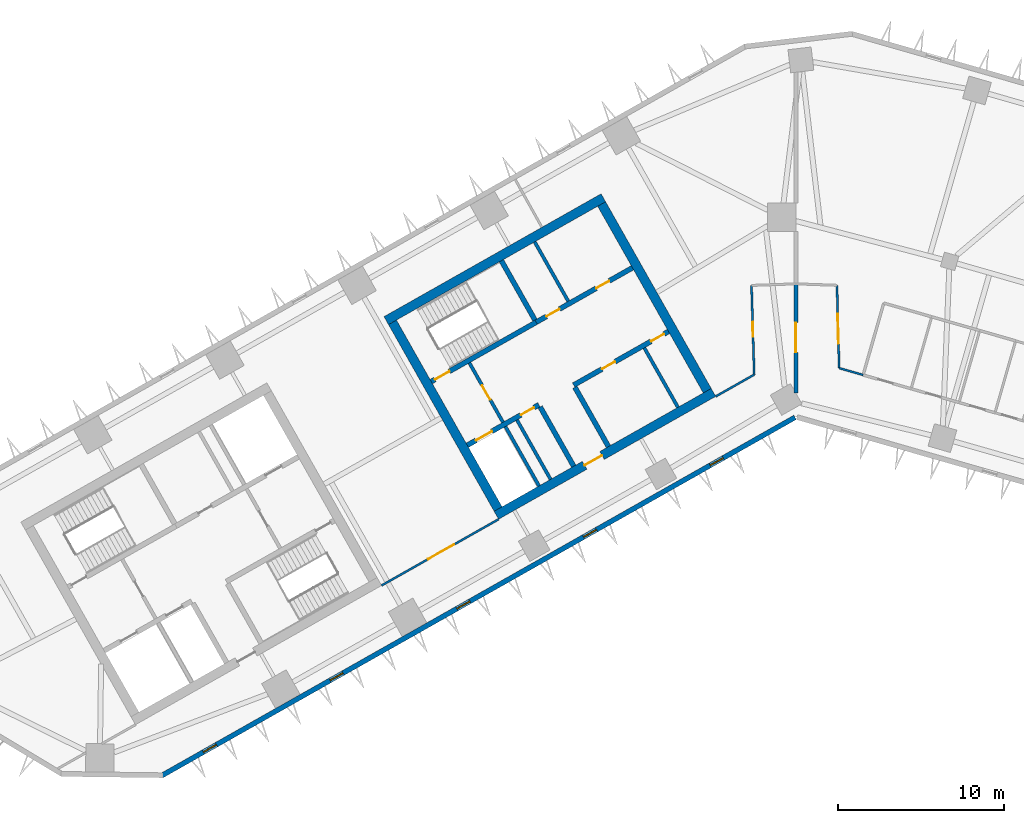
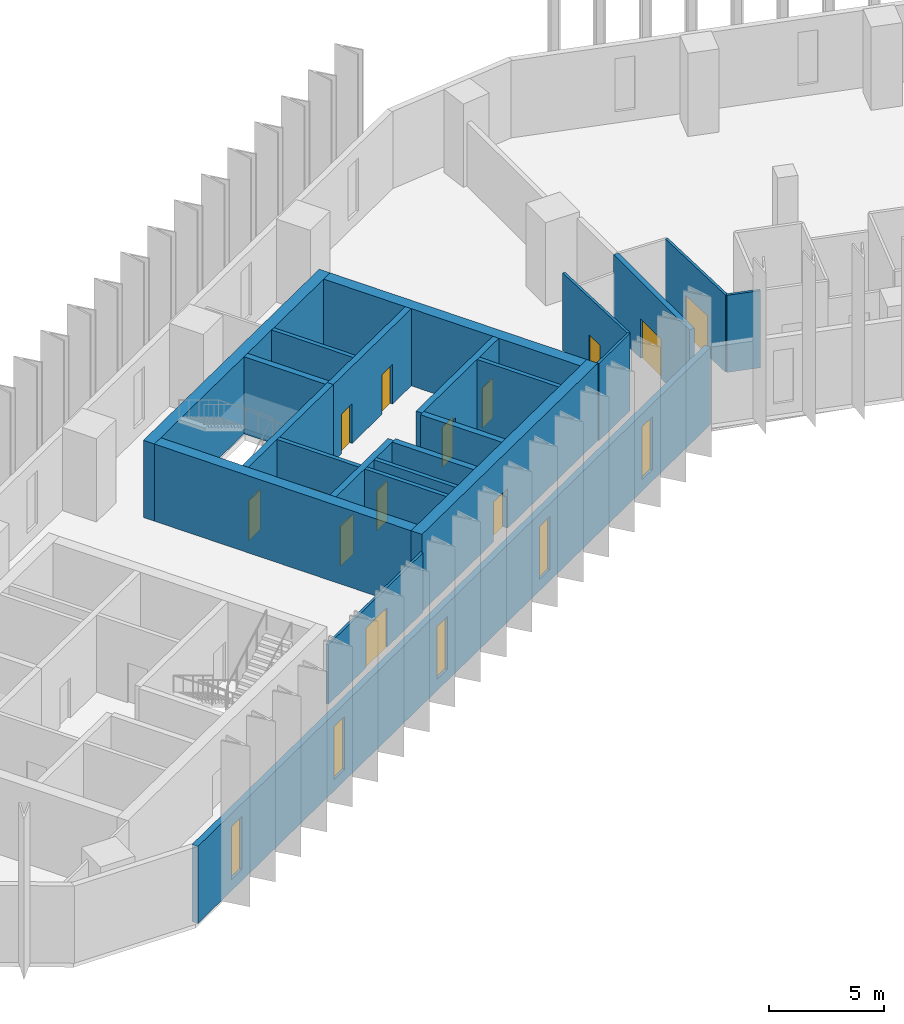
# One storey, part 4 of 11: 23 walls, 13 doors, 5 windows, 18 openings.
"""IFC4 building model written with IfcOpenShell, lengths in metres."""

from ifc_helpers import new_model, si_unit, direction, frame, frame_2d, origin, place, context, subcontext, project, spatial, rectangle, extrude, material, layer, layer_set, type_object, element, fill, save


model = new_model("IFC4")

# Units and contexts
model_context = context("Model", 3, precision=1e-05, world=origin(), true_north=direction((0.0, 1.0)))
body_context = subcontext(model_context, "Body", "Model", "MODEL_VIEW")
ifc_project = project(units=[si_unit("LENGTHUNIT", "METRE"), si_unit("AREAUNIT", "SQUARE_METRE"), si_unit("VOLUMEUNIT", "CUBIC_METRE"), si_unit("PLANEANGLEUNIT", "RADIAN"), si_unit("MASSUNIT", "GRAM", prefix="KILO")], contexts=[model_context])

# Site, building, storey
site_placement = place(None, origin())
site = spatial("IfcSite", under=ifc_project, at=site_placement, CompositionType="ELEMENT")
building_placement = place(site_placement, origin())
building = spatial("IfcBuilding", under=site, at=building_placement, Name="Binnacle Exchange Tower", CompositionType="ELEMENT")
storey_placement = place(building_placement, frame((0.0, 0.0, 132.300048828125)))
storey = spatial("IfcBuildingStorey", under=building, at=storey_placement, Name="L27", CompositionType="ELEMENT", Elevation=132.300048828125)

# Walls
ifc_material_1 = material(Name="Gypsum partition fire rated")
ifc_layer_1 = layer(ifc_material_1, 0.199951171875)
ifc_layer_set_1 = layer_set([ifc_layer_1], Name="Core partition 200")
wall_type_1 = type_object("IfcWallType", Name="Core partition 200", PredefinedType="PARTITIONING", material=ifc_layer_set_1)
wall_1_placement = place(storey_placement, frame((-15.709228515625, 58.52294921875, 0.0), z_axis=(0.0, 0.0, 1.0), x_axis=(0.492428039142, -0.870353161807, 0.0)))
element("IfcWall", 1, at=wall_1_placement, inside=storey, type_object=wall_type_1, Name="Core wall CRWC17", PredefinedType="PARTITIONING", context=body_context, shape_type="SweptSolid", body=[
    extrude(rectangle(XDim=4.10009765625, YDim=0.199951171875, at=frame_2d((2.050048828125, 0.0))), origin(), (0.0, 0.0, 1.0), 4.079833984375),
])
wall_2_placement = place(storey_placement, frame((-9.11279296875, 52.14404296875, 0.0), z_axis=(0.0, 0.0, 1.0), x_axis=(0.492408451753, -0.87036424366, 0.0)))
element("IfcWall", 2, at=wall_2_placement, inside=storey, type_object=wall_type_1, Name="Core wall CRWC22", PredefinedType="PARTITIONING", context=body_context, shape_type="SweptSolid", body=[
    extrude(rectangle(XDim=4.099853515625, YDim=0.199951171875, at=frame_2d((2.0498046875, 0.0))), origin(), (0.0, 0.0, 1.0), 4.079833984375),
])

# Wall, openings, doors
ifc_material_2 = material(Name="Concrete C70/85", Category="concrete")
ifc_layer_2 = layer(ifc_material_2, 0.300048828125)
ifc_layer_set_2 = layer_set([ifc_layer_2], Name="Core wall - front 300")
wall_type_2 = type_object("IfcWallType", Name="Core wall - front 300", PredefinedType="SOLIDWALL", material=ifc_layer_set_2)
wall_3_placement = place(storey_placement, frame((-19.76171875, 46.291748046875, 0.0), z_axis=(0.0, 0.0, 1.0), x_axis=(0.870359758983, 0.49241637863, 0.0)))
wall_3 = element("IfcWall", 3, at=wall_3_placement, inside=storey, type_object=wall_type_2, Name="Core wall CRWC2", PredefinedType="SOLIDWALL", context=body_context, shape_type="SweptSolid", body=[
    extrude(rectangle(XDim=4.9501953125, YDim=0.300048828125, at=frame_2d((2.47509765625, 0.0))), origin(), (0.0, 0.0, 1.0), 4.079833984375),
])
opening_1_placement = place(wall_3_placement, frame((0.60009765625, 0.0, 0.0)))
opening_1 = element("IfcOpeningElement", 4, at=opening_1_placement, cuts=wall_3, Name="Opening LD14", PredefinedType="OPENING", context=body_context, shape_type="SweptSolid", body=[
    extrude(rectangle(XDim=1.10009765625, YDim=2.10009765625, at=frame_2d((0.550048828125, 1.050048828125))), frame((0.0, 0.159912109375, 0.0), z_axis=(0.0, -1.0, 0.0), x_axis=(1.0, 0.0, 0.0)), (0.0, 0.0, 1.0), 0.320068359375),
])
opening_2_placement = place(wall_3_placement, frame((3.699951171875, 0.0, 0.0)))
opening_2 = element("IfcOpeningElement", 5, at=opening_2_placement, cuts=wall_3, Name="Opening DC14", PredefinedType="OPENING", context=body_context, shape_type="SweptSolid", body=[
    extrude(rectangle(XDim=0.89990234375, YDim=2.10009765625, at=frame_2d((0.449951171875, 1.050048828125))), frame((0.0, 0.159912109375, 0.0), z_axis=(0.0, -1.0, 0.0), x_axis=(1.0, 0.0, 0.0)), (0.0, 0.0, 1.0), 0.320068359375),
])
ifc_material_3 = material(Name="Steel door leaf", Category="steel")
door_type_1 = type_object("IfcDoorType", Name="Fire door - lift landing 1100", OperationType="NOTDEFINED", PredefinedType="DOOR", material=ifc_material_3)
door_1_placement = place(opening_1_placement, origin())
door_1 = element("IfcDoor", 6, at=door_1_placement, inside=storey, type_object=door_type_1, Name="Landing door LD14 L27", OperationType="DOUBLE_DOOR_SLIDING", OverallHeight=2.10009765625, OverallWidth=1.10009765625, PredefinedType="DOOR", context=body_context, shape_type="SweptSolid", body=[
    extrude(rectangle(XDim=1.10009765625, YDim=2.10009765625, at=frame_2d((0.550048828125, 1.050048828125))), frame((0.0, 0.02490234375, 0.0), z_axis=(0.0, -1.0, 0.0), x_axis=(1.0, 0.0, 0.0)), (0.0, 0.0, 1.0), 0.050048828125),
])
fill(opening_1, door_1)
door_type_2 = type_object("IfcDoorType", Name="Fire door 900", OperationType="NOTDEFINED", PredefinedType="DOOR", material=ifc_material_3)
door_2_placement = place(opening_2_placement, frame((0.89990234375, 0.0, 0.0), z_axis=(0.0, 0.0, 1.0), x_axis=(-1.0, 0.0, 0.0)))
door_2 = element("IfcDoor", 7, at=door_2_placement, inside=storey, type_object=door_type_2, Name="Core room door FIBRE ENTRY ROOM", OperationType="SINGLE_SWING_LEFT", OverallHeight=2.10009765625, OverallWidth=0.89990234375, PredefinedType="DOOR", context=body_context, shape_type="SweptSolid", body=[
    extrude(rectangle(XDim=0.89990234375, YDim=2.10009765625, at=frame_2d((0.449951171875, 1.050048828125))), frame((0.0, 0.02490234375, 0.0), z_axis=(0.0, -1.0, 0.0), x_axis=(1.0, 0.0, 0.0)), (0.0, 0.0, 1.0), 0.050048828125),
])
fill(opening_2, door_2)

wall_4_placement = place(storey_placement, frame((-13.364501953125, 49.910888671875, 0.0), z_axis=(0.0, 0.0, 1.0), x_axis=(0.870336435567, 0.492457601144, 0.0)))
wall_4 = element("IfcWall", 8, at=wall_4_placement, inside=storey, type_object=wall_type_2, Name="Core wall CRWC3", PredefinedType="SOLIDWALL", context=body_context, shape_type="SweptSolid", body=[
    extrude(rectangle(XDim=6.550048828125, YDim=0.300048828125, at=frame_2d((3.27490234375, 0.0))), origin(), (0.0, 0.0, 1.0), 4.079833984375),
])
opening_3_placement = place(wall_4_placement, frame((1.949951171875, 0.0, 0.0)))
opening_3 = element("IfcOpeningElement", 9, at=opening_3_placement, cuts=wall_4, Name="Opening DC18", PredefinedType="OPENING", context=body_context, shape_type="SweptSolid", body=[
    extrude(rectangle(XDim=0.89990234375, YDim=2.10009765625, at=frame_2d((0.449951171875, 1.050048828125))), frame((0.0, 0.159912109375, 0.0), z_axis=(0.0, -1.0, 0.0), x_axis=(1.0, 0.0, 0.0)), (0.0, 0.0, 1.0), 0.320068359375),
])
opening_4_placement = place(wall_4_placement, frame((5.35009765625, 0.0, 0.0)))
opening_4 = element("IfcOpeningElement", 10, at=opening_4_placement, cuts=wall_4, Name="Opening DC19", PredefinedType="OPENING", context=body_context, shape_type="SweptSolid", body=[
    extrude(rectangle(XDim=0.89990234375, YDim=2.10009765625, at=frame_2d((0.449951171875, 1.050048828125))), frame((0.0, 0.159912109375, 0.0), z_axis=(0.0, -1.0, 0.0), x_axis=(1.0, 0.0, 0.0)), (0.0, 0.0, 1.0), 0.320068359375),
])
door_3_placement = place(opening_3_placement, frame((0.89990234375, 0.0, 0.0), z_axis=(0.0, 0.0, 1.0), x_axis=(-1.0, 0.0, 0.0)))
door_3 = element("IfcDoor", 11, at=door_3_placement, inside=storey, type_object=door_type_2, Name="Core room door TELECOM RISER ROOM", OperationType="SINGLE_SWING_RIGHT", OverallHeight=2.10009765625, OverallWidth=0.89990234375, PredefinedType="DOOR", context=body_context, shape_type="SweptSolid", body=[
    extrude(rectangle(XDim=0.89990234375, YDim=2.10009765625, at=frame_2d((0.449951171875, 1.050048828125))), frame((0.0, 0.02490234375, 0.0), z_axis=(0.0, -1.0, 0.0), x_axis=(1.0, 0.0, 0.0)), (0.0, 0.0, 1.0), 0.050048828125),
])
fill(opening_3, door_3)
door_4_placement = place(opening_4_placement, frame((0.89990234375, 0.0, 0.0), z_axis=(0.0, 0.0, 1.0), x_axis=(-1.0, 0.0, 0.0)))
door_4 = element("IfcDoor", 12, at=door_4_placement, inside=storey, type_object=door_type_2, Name="Core room door COMMS RISER ROOM", OperationType="SINGLE_SWING_LEFT", OverallHeight=2.10009765625, OverallWidth=0.89990234375, PredefinedType="DOOR", context=body_context, shape_type="SweptSolid", body=[
    extrude(rectangle(XDim=0.89990234375, YDim=2.10009765625, at=frame_2d((0.449951171875, 1.050048828125))), frame((0.0, 0.02490234375, 0.0), z_axis=(0.0, -1.0, 0.0), x_axis=(1.0, 0.0, 0.0)), (0.0, 0.0, 1.0), 0.050048828125),
])
fill(opening_4, door_4)

wall_5_placement = place(storey_placement, frame((-15.6181640625, 53.69140625, 0.0), z_axis=(0.0, 0.0, 1.0), x_axis=(0.870367894134, 0.492401999246, 0.0)))
wall_5 = element("IfcWall", 13, at=wall_5_placement, inside=storey, type_object=wall_type_2, Name="Core wall CRWC5", PredefinedType="SOLIDWALL", context=body_context, shape_type="SweptSolid", body=[
    extrude(rectangle(XDim=6.64990234375, YDim=0.300048828125, at=frame_2d((3.324951171875, 0.0))), origin(), (0.0, 0.0, 1.0), 4.079833984375),
])
opening_5_placement = place(wall_5_placement, frame((0.699951171875, 0.0, 0.0)))
opening_5 = element("IfcOpeningElement", 14, at=opening_5_placement, cuts=wall_5, Name="Opening DC10", PredefinedType="OPENING", context=body_context, shape_type="SweptSolid", body=[
    extrude(rectangle(XDim=0.89990234375, YDim=2.10009765625, at=frame_2d((0.449951171875, 1.050048828125))), frame((0.0, 0.159912109375, 0.0), z_axis=(0.0, -1.0, 0.0), x_axis=(1.0, 0.0, 0.0)), (0.0, 0.0, 1.0), 0.320068359375),
])
opening_6_placement = place(wall_5_placement, frame((4.14990234375, 0.0, 0.0)))
opening_6 = element("IfcOpeningElement", 15, at=opening_6_placement, cuts=wall_5, Name="Opening DC11", PredefinedType="OPENING", context=body_context, shape_type="SweptSolid", body=[
    extrude(rectangle(XDim=0.89990234375, YDim=2.10009765625, at=frame_2d((0.449951171875, 1.050048828125))), frame((0.0, 0.159912109375, 0.0), z_axis=(0.0, -1.0, 0.0), x_axis=(1.0, 0.0, 0.0)), (0.0, 0.0, 1.0), 0.320068359375),
])
door_5_placement = place(opening_5_placement, origin())
door_5 = element("IfcDoor", 16, at=door_5_placement, inside=storey, type_object=door_type_2, Name="Core room door UPS CUPBOARD", OperationType="SINGLE_SWING_LEFT", OverallHeight=2.10009765625, OverallWidth=0.89990234375, PredefinedType="DOOR", context=body_context, shape_type="SweptSolid", body=[
    extrude(rectangle(XDim=0.89990234375, YDim=2.10009765625, at=frame_2d((0.449951171875, 1.050048828125))), frame((0.0, 0.02490234375, 0.0), z_axis=(0.0, -1.0, 0.0), x_axis=(1.0, 0.0, 0.0)), (0.0, 0.0, 1.0), 0.050048828125),
])
fill(opening_5, door_5)
door_6_placement = place(opening_6_placement, origin())
door_6 = element("IfcDoor", 17, at=door_6_placement, inside=storey, type_object=door_type_2, Name="Core room door EQUIPMENT STORE", OperationType="SINGLE_SWING_RIGHT", OverallHeight=2.10009765625, OverallWidth=0.89990234375, PredefinedType="DOOR", context=body_context, shape_type="SweptSolid", body=[
    extrude(rectangle(XDim=0.89990234375, YDim=2.10009765625, at=frame_2d((0.449951171875, 1.050048828125))), frame((0.0, 0.02490234375, 0.0), z_axis=(0.0, -1.0, 0.0), x_axis=(1.0, 0.0, 0.0)), (0.0, 0.0, 1.0), 0.050048828125),
])
fill(opening_6, door_6)

# Walls
wall_6_placement = place(storey_placement, frame((-15.37939453125, 48.5986328125, 0.0), z_axis=(0.0, 0.0, 1.0), x_axis=(0.492408451753, -0.87036424366, 0.0)))
element("IfcWall", 18, at=wall_6_placement, inside=storey, type_object=wall_type_2, Name="Core wall CRWC13", PredefinedType="SOLIDWALL", context=body_context, shape_type="SweptSolid", body=[
    extrude(rectangle(XDim=4.099853515625, YDim=0.300048828125, at=frame_2d((2.0498046875, 0.0))), origin(), (0.0, 0.0, 1.0), 4.079833984375),
])
wall_7_placement = place(storey_placement, frame((-13.29052734375, 49.780517578125, 0.0), z_axis=(0.0, 0.0, 1.0), x_axis=(0.492382931784, -0.870378681085, 0.0)))
element("IfcWall", 19, at=wall_7_placement, inside=storey, type_object=wall_type_2, Name="Core wall CRWC15", PredefinedType="SOLIDWALL", context=body_context, shape_type="SweptSolid", body=[
    extrude(rectangle(XDim=4.10009765625, YDim=0.300048828125, at=frame_2d((2.050048828125, 0.0))), origin(), (0.0, 0.0, 1.0), 4.079833984375),
])

# Wall, opening, door
ifc_layer_3 = layer(ifc_material_2, 0.550048828125)
ifc_layer_set_3 = layer_set([ifc_layer_3], Name="Core wall - outer 550")
wall_type_3 = type_object("IfcWallType", Name="Core wall - outer 550", PredefinedType="SOLIDWALL", material=ifc_layer_set_3)
wall_8_placement = place(storey_placement, frame((-18.01220703125, 42.08251953125, 0.0), z_axis=(0.0, 0.0, 1.0), x_axis=(0.870360574057, 0.492414937962, 0.0)))
wall_8 = element("IfcWall", 20, at=wall_8_placement, inside=storey, type_object=wall_type_3, Name="Core wall CRWC1", PredefinedType="SOLIDWALL", context=body_context, shape_type="SweptSolid", body=[
    extrude(rectangle(XDim=15.0, YDim=0.550048828125, at=frame_2d((7.5, 0.0))), origin(), (0.0, 0.0, 1.0), 4.079833984375),
])
opening_7_placement = place(wall_8_placement, frame((6.10009765625, 0.0, 0.0)))
opening_7 = element("IfcOpeningElement", 21, at=opening_7_placement, cuts=wall_8, Name="Opening DC7", PredefinedType="OPENING", context=body_context, shape_type="SweptSolid", body=[
    extrude(rectangle(XDim=1.199951171875, YDim=2.10009765625, at=frame_2d((0.60009765625, 1.050048828125))), frame((0.0, 0.284912109375, 0.0), z_axis=(0.0, -1.0, 0.0), x_axis=(1.0, 0.0, 0.0)), (0.0, 0.0, 1.0), 0.570068359375),
])
door_type_3 = type_object("IfcDoorType", Name="Fire door 1200", OperationType="NOTDEFINED", PredefinedType="DOOR", material=ifc_material_3)
door_7_placement = place(opening_7_placement, frame((1.199951171875, 0.0, 0.0), z_axis=(0.0, 0.0, 1.0), x_axis=(-1.0, 0.0, 0.0)))
door_7 = element("IfcDoor", 22, at=door_7_placement, inside=storey, type_object=door_type_3, Name="Lift lobby entrance door core C", OperationType="SINGLE_SWING_RIGHT", OverallHeight=2.10009765625, OverallWidth=1.199951171875, PredefinedType="DOOR", context=body_context, shape_type="SweptSolid", body=[
    extrude(rectangle(XDim=1.199951171875, YDim=2.10009765625, at=frame_2d((0.60009765625, 1.050048828125))), frame((0.0, 0.02490234375, 0.0), z_axis=(0.0, -1.0, 0.0), x_axis=(1.0, 0.0, 0.0)), (0.0, 0.0, 1.0), 0.050048828125),
])
fill(opening_7, door_7)

# Walls
wall_9_placement = place(storey_placement, frame((-24.63525390625, 53.788818359375, 0.0), z_axis=(0.0, 0.0, 1.0), x_axis=(0.870360574057, 0.492414937962, 0.0)))
element("IfcWall", 23, at=wall_9_placement, inside=storey, type_object=wall_type_3, Name="Core wall CRWC6", PredefinedType="SOLIDWALL", context=body_context, shape_type="SweptSolid", body=[
    extrude(rectangle(XDim=15.0, YDim=0.550048828125, at=frame_2d((7.5, 0.0))), origin(), (0.0, 0.0, 1.0), 4.079833984375),
])
for number, where, z_axis, x_axis, name in (
    (24, (-24.260498046875, 53.684814453125, 0.0), (0.0, 0.0, 1.0), (0.492427022044, -0.870353737259, 0.0), "Core wall CRWC7"),
    (25, (-11.683837890625, 60.80029296875, 0.0), (0.0, 0.0, 1.0), (0.492427022044, -0.870353737259, 0.0), "Core wall CRWC24"),
):
    element("IfcWall", number, at=place(storey_placement, frame(where, z_axis=z_axis, x_axis=x_axis)), inside=storey, type_object=wall_type_3, Name=name, PredefinedType="SOLIDWALL", context=body_context, shape_type="SweptSolid", body=[
        extrude(rectangle(XDim=12.89990234375, YDim=0.550048828125, at=frame_2d((6.449951171875, 0.0))), origin(), (0.0, 0.0, 1.0), 4.079833984375),
    ])

# Wall, opening, door
ifc_layer_4 = layer(ifc_material_2, 0.300048828125)
ifc_layer_set_4 = layer_set([ifc_layer_4], Name="Core wall - stair 300")
wall_type_4 = type_object("IfcWallType", Name="Core wall - stair 300", PredefinedType="SOLIDWALL", material=ifc_layer_set_4)
wall_10_placement = place(storey_placement, frame((-21.92822265625, 50.12109375, 0.0), z_axis=(0.0, 0.0, 1.0), x_axis=(0.870340732628, 0.49245000673, 0.0)))
wall_10 = element("IfcWall", 26, at=wall_10_placement, inside=storey, type_object=wall_type_4, Name="Core wall CRWC4", PredefinedType="SOLIDWALL", context=body_context, shape_type="SweptSolid", body=[
    extrude(rectangle(XDim=7.25, YDim=0.300048828125, at=frame_2d((3.625, 0.0))), origin(), (0.0, 0.0, 1.0), 4.079833984375),
])
opening_8_placement = place(wall_10_placement, frame((0.25, 0.0, 0.0)))
opening_8 = element("IfcOpeningElement", 27, at=opening_8_placement, cuts=wall_10, Name="Opening DC1", PredefinedType="OPENING", context=body_context, shape_type="SweptSolid", body=[
    extrude(rectangle(XDim=1.0, YDim=2.10009765625, at=frame_2d((0.5, 1.050048828125))), frame((0.0, 0.159912109375, 0.0), z_axis=(0.0, -1.0, 0.0), x_axis=(1.0, 0.0, 0.0)), (0.0, 0.0, 1.0), 0.320068359375),
])
door_type_4 = type_object("IfcDoorType", Name="Fire door 1000", OperationType="NOTDEFINED", PredefinedType="DOOR", material=ifc_material_3)
door_8_placement = place(opening_8_placement, origin())
door_8 = element("IfcDoor", 28, at=door_8_placement, inside=storey, type_object=door_type_4, Name="Stair door ST-C1", OperationType="SINGLE_SWING_LEFT", OverallHeight=2.10009765625, OverallWidth=1.0, PredefinedType="DOOR", context=body_context, shape_type="SweptSolid", body=[
    extrude(rectangle(XDim=1.0, YDim=2.10009765625, at=frame_2d((0.5, 1.050048828125))), frame((0.0, 0.02490234375, 0.0), z_axis=(0.0, -1.0, 0.0), x_axis=(1.0, 0.0, 0.0)), (0.0, 0.0, 1.0), 0.050048828125),
])
fill(opening_8, door_8)

# Wall
wall_11_placement = place(storey_placement, frame((-17.7109375, 57.390380859375, 0.0), z_axis=(0.0, 0.0, 1.0), x_axis=(0.492408451753, -0.87036424366, 0.0)))
element("IfcWall", 29, at=wall_11_placement, inside=storey, type_object=wall_type_4, Name="Core wall CRWC14", PredefinedType="SOLIDWALL", context=body_context, shape_type="SweptSolid", body=[
    extrude(rectangle(XDim=4.099853515625, YDim=0.300048828125, at=frame_2d((2.0498046875, 0.0))), origin(), (0.0, 0.0, 1.0), 4.079833984375),
])

# Wall, openings, windows
ifc_material_4 = material(Name="Bronze aluminium cladding", Category="aluminium")
ifc_layer_5 = layer(ifc_material_4, 0.300048828125)
ifc_layer_set_5 = layer_set([ifc_layer_5], Name="External wall - spandrel 300")
wall_type_5 = type_object("IfcWallType", Name="External wall - spandrel 300", PredefinedType="STANDARD", material=ifc_layer_set_5)
wall_12_placement = place(storey_placement, frame((-0.0546875, 47.968994140625, 0.0), z_axis=(0.0, 0.0, 1.0), x_axis=(-0.870355730478, -0.492423499058, 0.0)))
wall_12 = element("IfcWall", 30, at=wall_12_placement, inside=storey, type_object=wall_type_5, Name="External wall EW-F07 L27", PredefinedType="STANDARD", context=body_context, shape_type="SweptSolid", body=[
    extrude(rectangle(XDim=43.750244140625, YDim=0.300048828125, at=frame_2d((21.875, 0.0))), origin(), (0.0, 0.0, 1.0), 4.079833984375),
])
opening_9_placement = place(wall_12_placement, frame((39.976806640625, 0.0, 0.60009765625)))
opening_9 = element("IfcOpeningElement", 31, at=opening_9_placement, cuts=wall_12, Name="Opening WS2", PredefinedType="OPENING", context=body_context, shape_type="SweptSolid", body=[
    extrude(rectangle(XDim=0.89990234375, YDim=2.800048828125, at=frame_2d((0.449951171875, 1.39990234375))), frame((0.0, 0.159912109375, 0.0), z_axis=(0.0, -1.0, 0.0), x_axis=(1.0, 0.0, 0.0)), (0.0, 0.0, 1.0), 0.320068359375),
])
opening_10_placement = place(wall_12_placement, frame((31.222412109375, 0.0, 0.60009765625)))
opening_10 = element("IfcOpeningElement", 32, at=opening_10_placement, cuts=wall_12, Name="Opening WS2", PredefinedType="OPENING", context=body_context, shape_type="SweptSolid", body=[
    extrude(rectangle(XDim=0.89990234375, YDim=2.800048828125, at=frame_2d((0.449951171875, 1.39990234375))), frame((0.0, 0.159912109375, 0.0), z_axis=(0.0, -1.0, 0.0), x_axis=(1.0, 0.0, 0.0)), (0.0, 0.0, 1.0), 0.320068359375),
])
opening_11_placement = place(wall_12_placement, frame((22.4677734375, 0.0, 0.60009765625)))
opening_11 = element("IfcOpeningElement", 33, at=opening_11_placement, cuts=wall_12, Name="Opening WS2", PredefinedType="OPENING", context=body_context, shape_type="SweptSolid", body=[
    extrude(rectangle(XDim=0.89990234375, YDim=2.800048828125, at=frame_2d((0.449951171875, 1.39990234375))), frame((0.0, 0.159912109375, 0.0), z_axis=(0.0, -1.0, 0.0), x_axis=(1.0, 0.0, 0.0)), (0.0, 0.0, 1.0), 0.320068359375),
])
opening_12_placement = place(wall_12_placement, frame((13.713134765625, 0.0, 0.60009765625)))
opening_12 = element("IfcOpeningElement", 34, at=opening_12_placement, cuts=wall_12, Name="Opening WS2", PredefinedType="OPENING", context=body_context, shape_type="SweptSolid", body=[
    extrude(rectangle(XDim=0.89990234375, YDim=2.800048828125, at=frame_2d((0.449951171875, 1.39990234375))), frame((0.0, 0.159912109375, 0.0), z_axis=(0.0, -1.0, 0.0), x_axis=(1.0, 0.0, 0.0)), (0.0, 0.0, 1.0), 0.320068359375),
])
opening_13_placement = place(wall_12_placement, frame((4.958740234375, 0.0, 0.60009765625)))
opening_13 = element("IfcOpeningElement", 35, at=opening_13_placement, cuts=wall_12, Name="Opening WS2", PredefinedType="OPENING", context=body_context, shape_type="SweptSolid", body=[
    extrude(rectangle(XDim=0.89990234375, YDim=2.800048828125, at=frame_2d((0.449951171875, 1.39990234375))), frame((0.0, 0.159912109375, 0.0), z_axis=(0.0, -1.0, 0.0), x_axis=(1.0, 0.0, 0.0)), (0.0, 0.0, 1.0), 0.320068359375),
])
ifc_material_5 = material(Name="Bronze anodised aluminium frame", Category="aluminium")
window_type = type_object("IfcWindowType", Name="WS2 WINDOW 900x2800", PartitioningType="SINGLE_PANEL", PredefinedType="WINDOW", material=ifc_material_5)
window_1_placement = place(opening_9_placement, origin())
window_1 = element("IfcWindow", 36, at=window_1_placement, inside=storey, type_object=window_type, Name="Window WS2 L27", OverallHeight=2.800048828125, OverallWidth=0.89990234375, PartitioningType="SINGLE_PANEL", PredefinedType="WINDOW", context=body_context, shape_type="SweptSolid", body=[
    extrude(rectangle(XDim=0.89990234375, YDim=2.800048828125, at=frame_2d((0.449951171875, 1.39990234375))), frame((0.0, 0.030029296875, 0.0), z_axis=(0.0, -1.0, 0.0), x_axis=(1.0, 0.0, 0.0)), (0.0, 0.0, 1.0), 0.06005859375),
])
fill(opening_9, window_1)
window_2_placement = place(opening_10_placement, origin())
window_2 = element("IfcWindow", 37, at=window_2_placement, inside=storey, type_object=window_type, Name="Window WS2 L27", OverallHeight=2.800048828125, OverallWidth=0.89990234375, PartitioningType="SINGLE_PANEL", PredefinedType="WINDOW", context=body_context, shape_type="SweptSolid", body=[
    extrude(rectangle(XDim=0.89990234375, YDim=2.800048828125, at=frame_2d((0.449951171875, 1.39990234375))), frame((0.0, 0.030029296875, 0.0), z_axis=(0.0, -1.0, 0.0), x_axis=(1.0, 0.0, 0.0)), (0.0, 0.0, 1.0), 0.06005859375),
])
fill(opening_10, window_2)
window_3_placement = place(opening_11_placement, origin())
window_3 = element("IfcWindow", 38, at=window_3_placement, inside=storey, type_object=window_type, Name="Window WS2 L27", OverallHeight=2.800048828125, OverallWidth=0.89990234375, PartitioningType="SINGLE_PANEL", PredefinedType="WINDOW", context=body_context, shape_type="SweptSolid", body=[
    extrude(rectangle(XDim=0.89990234375, YDim=2.800048828125, at=frame_2d((0.449951171875, 1.39990234375))), frame((0.0, 0.030029296875, 0.0), z_axis=(0.0, -1.0, 0.0), x_axis=(1.0, 0.0, 0.0)), (0.0, 0.0, 1.0), 0.06005859375),
])
fill(opening_11, window_3)
window_4_placement = place(opening_12_placement, origin())
window_4 = element("IfcWindow", 39, at=window_4_placement, inside=storey, type_object=window_type, Name="Window WS2 L27", OverallHeight=2.800048828125, OverallWidth=0.89990234375, PartitioningType="SINGLE_PANEL", PredefinedType="WINDOW", context=body_context, shape_type="SweptSolid", body=[
    extrude(rectangle(XDim=0.89990234375, YDim=2.800048828125, at=frame_2d((0.449951171875, 1.39990234375))), frame((0.0, 0.030029296875, 0.0), z_axis=(0.0, -1.0, 0.0), x_axis=(1.0, 0.0, 0.0)), (0.0, 0.0, 1.0), 0.06005859375),
])
fill(opening_12, window_4)
window_5_placement = place(opening_13_placement, origin())
window_5 = element("IfcWindow", 40, at=window_5_placement, inside=storey, type_object=window_type, Name="Window WS2 L27", OverallHeight=2.800048828125, OverallWidth=0.89990234375, PartitioningType="SINGLE_PANEL", PredefinedType="WINDOW", context=body_context, shape_type="SweptSolid", body=[
    extrude(rectangle(XDim=0.89990234375, YDim=2.800048828125, at=frame_2d((0.449951171875, 1.39990234375))), frame((0.0, 0.030029296875, 0.0), z_axis=(0.0, -1.0, 0.0), x_axis=(1.0, 0.0, 0.0)), (0.0, 0.0, 1.0), 0.06005859375),
])
fill(opening_13, window_5)

# Wall, opening, door
ifc_material_6 = material(Name="Concrete fire wall C30/37", Category="concrete")
ifc_layer_6 = layer(ifc_material_6, 0.25)
ifc_layer_set_6 = layer_set([ifc_layer_6], Name="Fire wall - compartment 250")
wall_type_6 = type_object("IfcWallType", Name="Fire wall - compartment 250", PredefinedType="PARTITIONING", material=ifc_layer_set_6)
wall_13_placement = place(storey_placement, frame((0.0, 49.422119140625, 0.0), z_axis=(0.0, 0.0, 1.0), x_axis=(0.0, 1.0, 0.0)))
wall_13 = element("IfcWall", 41, at=wall_13_placement, inside=storey, type_object=wall_type_6, Name="Fire Wall W08", PredefinedType="PARTITIONING", context=body_context, shape_type="SweptSolid", body=[
    extrude(rectangle(XDim=6.577880859375, YDim=0.25, at=frame_2d((3.2890625, 0.0))), origin(), (0.0, 0.0, 1.0), 4.079833984375),
])
opening_14_placement = place(wall_13_placement, frame((2.449951171875, 0.0, 0.0)))
opening_14 = element("IfcOpeningElement", 42, at=opening_14_placement, cuts=wall_13, Name="Opening DL25-10", PredefinedType="OPENING", context=body_context, shape_type="SweptSolid", body=[
    extrude(rectangle(XDim=1.800048828125, YDim=2.10009765625, at=frame_2d((0.89990234375, 1.050048828125))), frame((0.0, 0.135009765625, 0.0), z_axis=(0.0, -1.0, 0.0), x_axis=(1.0, 0.0, 0.0)), (0.0, 0.0, 1.0), 0.27001953125),
])
door_type_5 = type_object("IfcDoorType", Name="Fire door 1800", OperationType="NOTDEFINED", PredefinedType="DOOR", material=ifc_material_3)
door_9_placement = place(opening_14_placement, origin())
door_9 = element("IfcDoor", 43, at=door_9_placement, inside=storey, type_object=door_type_5, Name="Door DL25-10", OperationType="DOUBLE_DOOR_SINGLE_SWING", OverallHeight=2.10009765625, OverallWidth=1.800048828125, PredefinedType="DOOR", context=body_context, shape_type="SweptSolid", body=[
    extrude(rectangle(XDim=1.800048828125, YDim=2.10009765625, at=frame_2d((0.89990234375, 1.050048828125))), frame((0.0, 0.02490234375, 0.0), z_axis=(0.0, -1.0, 0.0), x_axis=(1.0, 0.0, 0.0)), (0.0, 0.0, 1.0), 0.050048828125),
])
fill(opening_14, door_9)

ifc_material_7 = material(Name="Masonry block wall", Category="masonry")
ifc_layer_7 = layer(ifc_material_7, 0.199951171875)
ifc_layer_set_7 = layer_set([ifc_layer_7], Name="Fire wall - vestibule 200")
wall_type_7 = type_object("IfcWallType", Name="Fire wall - vestibule 200", PredefinedType="PARTITIONING", material=ifc_layer_set_7)
wall_14_placement = place(storey_placement, frame((-19.635009765625, 51.246337890625, 0.0), z_axis=(0.0, 0.0, 1.0), x_axis=(0.492408451753, -0.87036424366, 0.0)))
wall_14 = element("IfcWall", 44, at=wall_14_placement, inside=storey, type_object=wall_type_7, Name="Core wall CRWC10", PredefinedType="PARTITIONING", context=body_context, shape_type="SweptSolid", body=[
    extrude(rectangle(XDim=4.099853515625, YDim=0.199951171875, at=frame_2d((2.0498046875, 0.0))), origin(), (0.0, 0.0, 1.0), 4.079833984375),
])
opening_15_placement = place(wall_14_placement, frame((1.550048828125, 0.0, 0.0)))
opening_15 = element("IfcOpeningElement", 45, at=opening_15_placement, cuts=wall_14, Name="Opening DC3", PredefinedType="OPENING", context=body_context, shape_type="SweptSolid", body=[
    extrude(rectangle(XDim=1.0, YDim=2.10009765625, at=frame_2d((0.5, 1.050048828125))), frame((0.0, 0.10986328125, 0.0), z_axis=(0.0, -1.0, 0.0), x_axis=(1.0, 0.0, 0.0)), (0.0, 0.0, 1.0), 0.219970703125),
])
door_10_placement = place(opening_15_placement, frame((1.0, 0.0, 0.0), z_axis=(0.0, 0.0, 1.0), x_axis=(-1.0, 0.0, 0.0)))
door_10 = element("IfcDoor", 46, at=door_10_placement, inside=storey, type_object=door_type_4, Name="Vestibule door VEST-W", OperationType="SINGLE_SWING_RIGHT", OverallHeight=2.10009765625, OverallWidth=1.0, PredefinedType="DOOR", context=body_context, shape_type="SweptSolid", body=[
    extrude(rectangle(XDim=1.0, YDim=2.10009765625, at=frame_2d((0.5, 1.050048828125))), frame((0.0, 0.02490234375, 0.0), z_axis=(0.0, -1.0, 0.0), x_axis=(1.0, 0.0, 0.0)), (0.0, 0.0, 1.0), 0.050048828125),
])
fill(opening_15, door_10)

ifc_material_8 = material(Name="Gypsum partition")
ifc_layer_8 = layer(ifc_material_8, 0.125)
ifc_layer_set_8 = layer_set([ifc_layer_8], Name="Partition 125")
wall_type_8 = type_object("IfcWallType", Name="Partition 125", PredefinedType="PARTITIONING", material=ifc_layer_set_8)
wall_15_placement = place(storey_placement, frame((-24.9189453125, 37.85888671875, 0.0), z_axis=(0.0, 0.0, 1.0), x_axis=(0.870357635969, 0.492420131098, 0.0)))
wall_15 = element("IfcWall", 47, at=wall_15_placement, inside=storey, type_object=wall_type_8, Name="Partition W03", PredefinedType="PARTITIONING", context=body_context, shape_type="SweptSolid", body=[
    extrude(rectangle(XDim=8.0908203125, YDim=0.125, at=frame_2d((4.04541015625, 0.0))), origin(), (0.0, 0.0, 1.0), 3.14794921875),
])
opening_16_placement = place(wall_15_placement, frame((3.199951171875, 0.0, 0.0)))
opening_16 = element("IfcOpeningElement", 48, at=opening_16_placement, cuts=wall_15, Name="Opening DL25-01", PredefinedType="OPENING", context=body_context, shape_type="SweptSolid", body=[
    extrude(rectangle(XDim=1.800048828125, YDim=2.10009765625, at=frame_2d((0.89990234375, 1.050048828125))), frame((0.0, 0.072509765625, 0.0), z_axis=(0.0, -1.0, 0.0), x_axis=(1.0, 0.0, 0.0)), (0.0, 0.0, 1.0), 0.14501953125),
])
ifc_material_9 = material(Name="Timber door leaf", Category="wood")
door_type_6 = type_object("IfcDoorType", Name="Double door 1800", OperationType="NOTDEFINED", PredefinedType="DOOR", material=ifc_material_9)
door_11_placement = place(opening_16_placement, origin())
door_11 = element("IfcDoor", 49, at=door_11_placement, inside=storey, type_object=door_type_6, Name="Door DL25-01", OperationType="DOUBLE_DOOR_SINGLE_SWING", OverallHeight=2.10009765625, OverallWidth=1.800048828125, PredefinedType="DOOR", context=body_context, shape_type="SweptSolid", body=[
    extrude(rectangle(XDim=1.800048828125, YDim=2.10009765625, at=frame_2d((0.89990234375, 1.050048828125))), frame((0.0, 0.02490234375, 0.0), z_axis=(0.0, -1.0, 0.0), x_axis=(1.0, 0.0, 0.0)), (0.0, 0.0, 1.0), 0.050048828125),
])
fill(opening_16, door_11)

# Wall
wall_16_placement = place(storey_placement, frame((-4.821044921875, 49.22998046875, 0.0), z_axis=(0.0, 0.0, 1.0), x_axis=(0.870371217631, 0.492396124598, 0.0)))
element("IfcWall", 50, at=wall_16_placement, inside=storey, type_object=wall_type_8, Name="Partition W05", PredefinedType="PARTITIONING", context=body_context, shape_type="SweptSolid", body=[
    extrude(rectangle(XDim=2.65869140625, YDim=0.125, at=frame_2d((1.329345703125, 0.0))), origin(), (0.0, 0.0, 1.0), 4.079833984375),
])

# Wall, opening, door
wall_17_placement = place(storey_placement, frame((-2.669921875, 55.904052734375, 0.0), z_axis=(0.0, 0.0, 1.0), x_axis=(0.030338701418, -0.999539675649, 0.0)))
wall_17 = element("IfcWall", 51, at=wall_17_placement, inside=storey, type_object=wall_type_8, Name="Partition W06", PredefinedType="PARTITIONING", context=body_context, shape_type="SweptSolid", body=[
    extrude(rectangle(XDim=5.367431640625, YDim=0.125, at=frame_2d((2.68359375, 0.0))), origin(), (0.0, 0.0, 1.0), 4.079833984375),
])
opening_17_placement = place(wall_17_placement, frame((2.199951171875, 0.0, 0.0)))
opening_17 = element("IfcOpeningElement", 52, at=opening_17_placement, cuts=wall_17, Name="Opening DL25-02", PredefinedType="OPENING", context=body_context, shape_type="SweptSolid", body=[
    extrude(rectangle(XDim=0.89990234375, YDim=2.10009765625, at=frame_2d((0.449951171875, 1.050048828125))), frame((0.0, 0.072509765625, 0.0), z_axis=(0.0, -1.0, 0.0), x_axis=(1.0, 0.0, 0.0)), (0.0, 0.0, 1.0), 0.14501953125),
])
door_type_7 = type_object("IfcDoorType", Name="Door 900", OperationType="NOTDEFINED", PredefinedType="DOOR", material=ifc_material_9)
door_12_placement = place(opening_17_placement, frame((0.89990234375, 0.0, 0.0), z_axis=(0.0, 0.0, 1.0), x_axis=(-1.0, 0.0, 0.0)))
door_12 = element("IfcDoor", 53, at=door_12_placement, inside=storey, type_object=door_type_7, Name="Door DL25-02", OperationType="SINGLE_SWING_RIGHT", OverallHeight=2.10009765625, OverallWidth=0.89990234375, PredefinedType="DOOR", context=body_context, shape_type="SweptSolid", body=[
    extrude(rectangle(XDim=0.89990234375, YDim=2.10009765625, at=frame_2d((0.449951171875, 1.050048828125))), frame((0.0, 0.02490234375, 0.0), z_axis=(0.0, -1.0, 0.0), x_axis=(1.0, 0.0, 0.0)), (0.0, 0.0, 1.0), 0.050048828125),
])
fill(opening_17, door_12)

wall_18_placement = place(storey_placement, frame((2.468994140625, 55.910888671875, 0.0), z_axis=(0.0, 0.0, 1.0), x_axis=(0.02651808123, -0.999648333849, 0.0)))
wall_18 = element("IfcWall", 54, at=wall_18_placement, inside=storey, type_object=wall_type_8, Name="Partition W12", PredefinedType="PARTITIONING", context=body_context, shape_type="SweptSolid", body=[
    extrude(rectangle(XDim=4.980712890625, YDim=0.125, at=frame_2d((2.490234375, 0.0))), origin(), (0.0, 0.0, 1.0), 4.079833984375),
])
opening_18_placement = place(wall_18_placement, frame((1.699951171875, 0.0, 0.0)))
opening_18 = element("IfcOpeningElement", 55, at=opening_18_placement, cuts=wall_18, Name="Opening DL25-07", PredefinedType="OPENING", context=body_context, shape_type="SweptSolid", body=[
    extrude(rectangle(XDim=1.800048828125, YDim=2.10009765625, at=frame_2d((0.89990234375, 1.050048828125))), frame((0.0, 0.072509765625, 0.0), z_axis=(0.0, -1.0, 0.0), x_axis=(1.0, 0.0, 0.0)), (0.0, 0.0, 1.0), 0.14501953125),
])
door_13_placement = place(opening_18_placement, origin())
door_13 = element("IfcDoor", 56, at=door_13_placement, inside=storey, type_object=door_type_6, Name="Door DL25-07", OperationType="DOUBLE_DOOR_SINGLE_SWING", OverallHeight=2.10009765625, OverallWidth=1.800048828125, PredefinedType="DOOR", context=body_context, shape_type="SweptSolid", body=[
    extrude(rectangle(XDim=1.800048828125, YDim=2.10009765625, at=frame_2d((0.89990234375, 1.050048828125))), frame((0.0, 0.02490234375, 0.0), z_axis=(0.0, -1.0, 0.0), x_axis=(1.0, 0.0, 0.0)), (0.0, 0.0, 1.0), 0.050048828125),
])
fill(opening_18, door_13)

# Walls
wall_19_placement = place(storey_placement, frame((2.60107421875, 50.931884765625, 0.0), z_axis=(0.0, 0.0, 1.0), x_axis=(0.961197773994, -0.27586018065, 0.0)))
element("IfcWall", 57, at=wall_19_placement, inside=storey, type_object=wall_type_8, Name="Partition W13", PredefinedType="PARTITIONING", context=body_context, shape_type="SweptSolid", body=[
    extrude(rectangle(XDim=1.5, YDim=0.125, at=frame_2d((0.75, 0.0))), origin(), (0.0, 0.0, 1.0), 4.079833984375),
])
ifc_layer_9 = layer(ifc_material_7, 0.199951171875)
ifc_layer_set_9 = layer_set([ifc_layer_9], Name="Riser wall 200")
wall_type_9 = type_object("IfcWallType", Name="Riser wall 200", PredefinedType="SOLIDWALL", material=ifc_layer_set_9)
wall_20_placement = place(storey_placement, frame((-17.468505859375, 47.416748046875, 0.0), z_axis=(0.0, 0.0, 1.0), x_axis=(0.492453559952, -0.87033872216, 0.0)))
element("IfcWall", 58, at=wall_20_placement, inside=storey, type_object=wall_type_9, Name="Core wall CRWC8", PredefinedType="SOLIDWALL", context=body_context, shape_type="SweptSolid", body=[
    extrude(rectangle(XDim=4.099853515625, YDim=0.199951171875, at=frame_2d((2.0498046875, 0.0))), origin(), (0.0, 0.0, 1.0), 4.079833984375),
])
wall_21_placement = place(storey_placement, frame((-16.772216796875, 47.810791015625, 0.0), z_axis=(0.0, 0.0, 1.0), x_axis=(0.492428039142, -0.870353161807, 0.0)))
element("IfcWall", 59, at=wall_21_placement, inside=storey, type_object=wall_type_9, Name="Core wall CRWC11", PredefinedType="SOLIDWALL", context=body_context, shape_type="SweptSolid", body=[
    extrude(rectangle(XDim=4.10009765625, YDim=0.199951171875, at=frame_2d((2.050048828125, 0.0))), origin(), (0.0, 0.0, 1.0), 4.079833984375),
])

save(model, "model.ifc")
